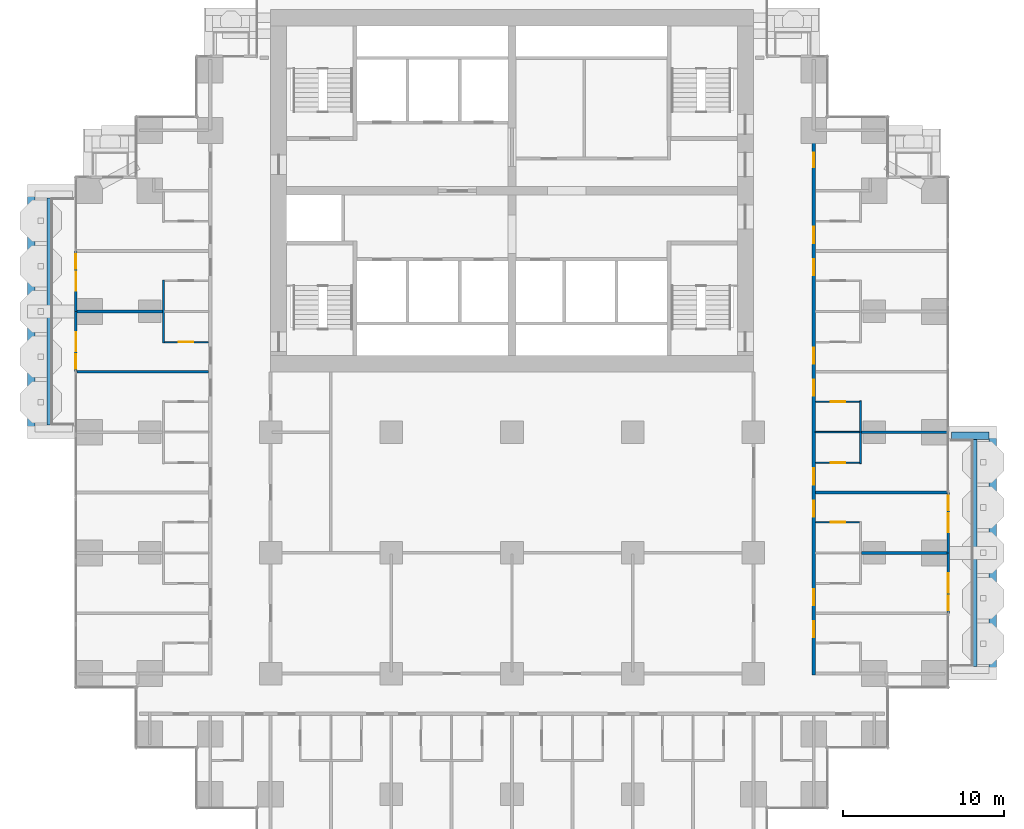
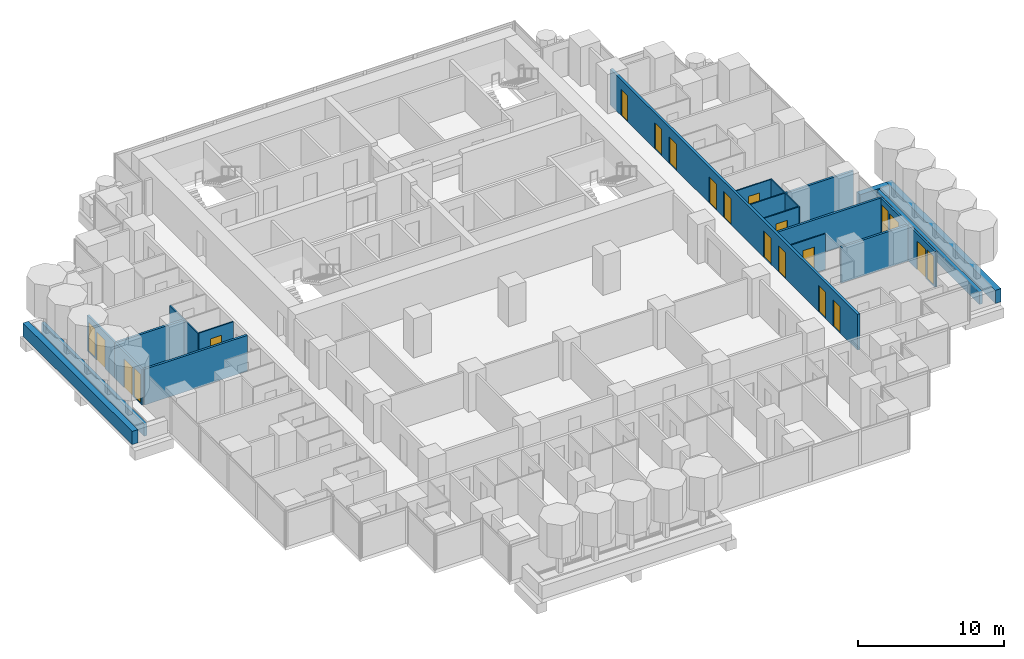
# One storey, part 12 of 18: 22 walls, 17 doors, 4 windows, 21 openings.
"""IFC4 building model written with IfcOpenShell, lengths in metres."""

import ifcopenshell
import ifcopenshell.guid

model = None  # the IFC model being written
_history = None  # IfcOwnerHistory: only IFC2X3 demands one
_inside = {}  # id of a spatial element -> (the spatial element, [elements in it])
_under = {}  # id of a project, library or spatial element -> (it, [spatial elements below it])
_declared = {}  # id of a project -> (the project, [libraries it declares])
_typed = {}  # id of a type object -> (the type object, [elements of that type])
_made_of = {}  # id of a material, layer set ... -> (it, [elements and type objects made of it])


def new_model(schema):
    """Start an empty IFC model of exactly this schema.

    Asked for "IFC4X3", IfcOpenShell would pick the latest addendum, in which some entities
    have other attributes; the version numbers below select the first issue.
    IFC2X3 requires an IfcOwnerHistory on every rooted entity: one is made here for all.
    """
    global model, _history
    if schema == "IFC4X3":
        model = ifcopenshell.file(schema_version=(4, 3, 0, 0))
    else:
        model = ifcopenshell.file(schema=schema)
    _inside.clear()
    _under.clear()
    _declared.clear()
    _typed.clear()
    _made_of.clear()
    _history = None
    if model.schema == "IFC2X3":
        org = make("IfcOrganization", Name="unknown")
        user = make(
            "IfcPersonAndOrganization",
            ThePerson=make("IfcPerson", FamilyName="unknown"),
            TheOrganization=org,
        )
        app = make(
            "IfcApplication",
            ApplicationDeveloper=org,
            Version="unknown",
            ApplicationFullName="unknown",
            ApplicationIdentifier="unknown",
        )
        _history = make(
            "IfcOwnerHistory",
            OwningUser=user,
            OwningApplication=app,
            ChangeAction="ADDED",
            CreationDate=0,
        )
    return model


def make(cls, **values):
    """One entity of the class cls with the attributes given. An attribute that is None is left unset."""
    return model.create_entity(
        cls, **{name: value for name, value in values.items() if value is not None}
    )


def rooted(cls, **values):
    """An entity with a GlobalId (a new one), such as an element, a storey or a relation."""
    return make(cls, GlobalId=ifcopenshell.guid.new(), OwnerHistory=_history, **values)


def si_unit(unit_type, name, prefix=None):
    """IfcSIUnit, for example si_unit("LENGTHUNIT", "METRE", prefix="MILLI")."""
    return make("IfcSIUnit", UnitType=unit_type, Prefix=prefix, Name=name)


def assignment(units):
    """IfcUnitAssignment: the units of a project."""
    return None if units is None else make("IfcUnitAssignment", Units=units)


def point(xyz):
    """IfcCartesianPoint."""
    return None if xyz is None else make("IfcCartesianPoint", Coordinates=xyz)


def direction(xyz):
    """IfcDirection."""
    return None if xyz is None else make("IfcDirection", DirectionRatios=xyz)


def frame(location, z_axis=None, x_axis=None):
    """IfcAxis2Placement3D, a coordinate frame: its origin and axes. An axis left out is left unset."""
    return make(
        "IfcAxis2Placement3D",
        Location=point(location),
        Axis=direction(z_axis),
        RefDirection=direction(x_axis),
    )


def frame_2d(location, x_axis=None):
    """IfcAxis2Placement2D, a coordinate frame in the plane: its origin and x axis."""
    return make(
        "IfcAxis2Placement2D", Location=point(location), RefDirection=direction(x_axis)
    )


def origin():
    """The frame at (0, 0, 0) with its axes left unset."""
    return frame((0.0, 0.0, 0.0))


def place(relative_to, where):
    """IfcLocalPlacement: puts the frame where relative to a parent placement (None: the world)."""
    return make(
        "IfcLocalPlacement", PlacementRelTo=relative_to, RelativePlacement=where
    )


def context(
    kind, dimensions, precision=None, world=None, true_north=None, identifier=None
):
    """IfcGeometricRepresentationContext, for example the 3D "Model" context."""
    return make(
        "IfcGeometricRepresentationContext",
        ContextIdentifier=identifier,
        ContextType=kind,
        CoordinateSpaceDimension=dimensions,
        Precision=precision,
        WorldCoordinateSystem=world,
        TrueNorth=true_north,
    )


def subcontext(parent, identifier, kind, view, scale=None):
    """IfcGeometricRepresentationSubContext, for example "Body" below "Model"."""
    return make(
        "IfcGeometricRepresentationSubContext",
        ContextIdentifier=identifier,
        ContextType=kind,
        ParentContext=parent,
        TargetScale=scale,
        TargetView=view,
    )


def project(units=None, contexts=None):
    """IfcProject with its units and contexts."""
    return rooted(
        "IfcProject",
        Name="project",
        RepresentationContexts=contexts,
        UnitsInContext=assignment(units),
    )


def spatial(cls, under=None, at=None, **own):
    """A site, building, storey or space (cls), placed at a placement, below another one or the project."""
    s = rooted(cls, ObjectPlacement=at, **own)
    if under is not None:
        _under.setdefault(under.id(), (under, []))[1].append(s)
    return s


def profile(cls, at=None, kind="AREA", **sizes):
    """A parametric profile (cls). Its sizes go by their IFC names, for example OverallWidth=200.0."""
    return make(cls, ProfileType=kind, Position=at, **sizes)


def rectangle(**sizes):
    """IfcRectangleProfileDef."""
    return profile("IfcRectangleProfileDef", **sizes)


def extrude(swept, where, along, depth):
    """IfcExtrudedAreaSolid: the profile swept, set in the frame where, extruded along a direction by depth."""
    return make(
        "IfcExtrudedAreaSolid",
        SweptArea=swept,
        Position=where,
        ExtrudedDirection=direction(along),
        Depth=depth,
    )


def shape(context_of_items, identifier, shape_type, items):
    """IfcShapeRepresentation: the items that make up one representation, for example the "Body"."""
    return make(
        "IfcShapeRepresentation",
        ContextOfItems=context_of_items,
        RepresentationIdentifier=identifier,
        RepresentationType=shape_type,
        Items=items,
    )


def material(Name=None, Category=None):
    """IfcMaterial."""
    return make("IfcMaterial", Name=Name, Category=Category)


def layer(
    of_material, thickness, ventilated=None, Name=None, Category=None, Priority=None
):
    """IfcMaterialLayer: one layer of a wall or slab, of a material (None: an air gap)."""
    return make(
        "IfcMaterialLayer",
        Material=of_material,
        LayerThickness=thickness,
        IsVentilated=ventilated,
        Name=Name,
        Category=Category,
        Priority=Priority,
    )


def layer_set(layers, Name=None):
    """IfcMaterialLayerSet."""
    return make("IfcMaterialLayerSet", MaterialLayers=layers, LayerSetName=Name)


def made_of(thing, what):
    """Note that an element or type object is made of a material, layer set ...; save() writes the relation."""
    if what is not None:
        _made_of.setdefault(what.id(), (what, []))[1].append(thing)
    return thing


def type_object(cls, material=None, **own):
    """A type object (cls), such as IfcWallType, which elements share."""
    return made_of(rooted(cls, **own), material)


def element(
    cls,
    number,
    at=None,
    inside=None,
    cuts=None,
    type_object=None,
    material=None,
    context=None,
    identifier="Body",
    shape_type=None,
    held_by="IfcProductDefinitionShape",
    body=None,
    shapes=None,
    **own,
):
    """One element of the class cls, such as IfcWall. Its Tag is "e" and its number.

    at: its placement. inside: the storey or other place that contains it. cuts: it is an
    opening in that element (IfcRelVoidsElement). A single representation is given by context,
    identifier, shape_type and body (its items); several are given by shapes. held_by: the class
    of the entity that holds the representations. save() writes the other relations.
    """
    e = rooted(cls, Tag="e%d" % number, ObjectPlacement=at, **own)
    if body is not None:
        shapes = [shape(context, identifier, shape_type, body)]
    if shapes is not None:
        e.Representation = make(held_by, Representations=shapes)
    if inside is not None:
        _inside.setdefault(inside.id(), (inside, []))[1].append(e)
    if cuts is not None:
        rooted(
            "IfcRelVoidsElement", RelatingBuildingElement=cuts, RelatedOpeningElement=e
        )
    if type_object is not None:
        _typed.setdefault(type_object.id(), (type_object, []))[1].append(e)
    return made_of(e, material)


def fill(opening, filler):
    """IfcRelFillsElement: the door or window that sits in an opening."""
    return rooted(
        "IfcRelFillsElement",
        RelatingOpeningElement=opening,
        RelatedBuildingElement=filler,
    )


def aggregate(whole, parts):
    """IfcRelAggregates: a whole, such as a stair, and the parts it consists of."""
    return rooted("IfcRelAggregates", RelatingObject=whole, RelatedObjects=parts)


def save(model, path):
    """Write the relations noted so far, then the file.

    IfcRelAggregates (storeys below a building ...), IfcRelContainedInSpatialStructure (elements
    in a storey), IfcRelDefinesByType, IfcRelAssociatesMaterial and IfcRelDeclares: one each for
    every whole, place, type object, material and project.
    """
    for whole, parts in _under.values():
        aggregate(whole, parts)
    for where, things in _inside.values():
        rooted(
            "IfcRelContainedInSpatialStructure",
            RelatedElements=things,
            RelatingStructure=where,
        )
    for kind, things in _typed.values():
        rooted("IfcRelDefinesByType", RelatedObjects=things, RelatingType=kind)
    for what, things in _made_of.values():
        rooted("IfcRelAssociatesMaterial", RelatedObjects=things, RelatingMaterial=what)
    for by, libraries in _declared.values():
        rooted("IfcRelDeclares", RelatingContext=by, RelatedDefinitions=libraries)
    model.write(path)


model = new_model("IFC4")

# Units and contexts
model_context = context("Model", 3, precision=1e-05, world=origin(), true_north=direction((0.0, 1.0)))
body_context = subcontext(model_context, "Body", "Model", "MODEL_VIEW")
ifc_project = project(units=[si_unit("LENGTHUNIT", "METRE"), si_unit("AREAUNIT", "SQUARE_METRE"), si_unit("VOLUMEUNIT", "CUBIC_METRE"), si_unit("PLANEANGLEUNIT", "RADIAN"), si_unit("MASSUNIT", "GRAM", prefix="KILO")], contexts=[model_context])

# Site, building, storey
site_placement = place(None, origin())
site = spatial("IfcSite", under=ifc_project, at=site_placement, CompositionType="ELEMENT")
building_placement = place(site_placement, origin())
building = spatial("IfcBuilding", under=site, at=building_placement, Name="Pilkhan Gate Tower", CompositionType="ELEMENT")
storey_placement = place(building_placement, frame((0.0, 0.0, 42.800048828125)))
storey = spatial("IfcBuildingStorey", under=building, at=storey_placement, Name="L07", CompositionType="ELEMENT", Elevation=42.800048828125)

# Walls
ifc_material_1 = material(Name="Dense blockwork", Category="masonry")
ifc_layer_1 = layer(ifc_material_1, 0.175048828125)
ifc_layer_set_1 = layer_set([ifc_layer_1], Name="Acoustic party wall PW175")
wall_type_1 = type_object("IfcWallType", Name="Acoustic party wall PW175", PredefinedType="PARTITIONING", material=ifc_layer_set_1)
wall_1_placement = place(storey_placement, frame((96.699951171875, 60.0, 0.0), z_axis=(0.0, 0.0, 1.0), x_axis=(1.0, 0.0, 0.0)))
element("IfcWall", 1, at=wall_1_placement, inside=storey, type_object=wall_type_1, Name="Partition L07", PredefinedType="PARTITIONING", context=body_context, shape_type="SweptSolid", body=[
    extrude(rectangle(XDim=5.31494140625, YDim=0.175048828125, at=frame_2d((2.657470703125, 0.0))), origin(), (0.0, 0.0, 1.0), 3.0),
])
wall_2_placement = place(storey_placement, frame((93.85009765625, 63.75, 0.0), z_axis=(0.0, 0.0, 1.0), x_axis=(1.0, 0.0, 0.0)))
element("IfcWall", 2, at=wall_2_placement, inside=storey, type_object=wall_type_1, Name="Partition L07", PredefinedType="PARTITIONING", context=body_context, shape_type="SweptSolid", body=[
    extrude(rectangle(XDim=8.164794921875, YDim=0.175048828125, at=frame_2d((4.08251953125, 0.0))), origin(), (0.0, 0.0, 1.0), 3.0),
])
wall_3_placement = place(storey_placement, frame((96.699951171875, 67.5, 0.0), z_axis=(0.0, 0.0, 1.0), x_axis=(1.0, 0.0, 0.0)))
element("IfcWall", 3, at=wall_3_placement, inside=storey, type_object=wall_type_1, Name="Partition L07", PredefinedType="PARTITIONING", context=body_context, shape_type="SweptSolid", body=[
    extrude(rectangle(XDim=5.31494140625, YDim=0.175048828125, at=frame_2d((2.657470703125, 0.0))), origin(), (0.0, 0.0, 1.0), 3.0),
])
wall_4_placement = place(storey_placement, frame((47.985107421875, 71.25, 0.0), z_axis=(0.0, 0.0, 1.0), x_axis=(1.0, 0.0, 0.0)))
element("IfcWall", 4, at=wall_4_placement, inside=storey, type_object=wall_type_1, Name="Partition L07", PredefinedType="PARTITIONING", context=body_context, shape_type="SweptSolid", body=[
    extrude(rectangle(XDim=8.164794921875, YDim=0.175048828125, at=frame_2d((4.08251953125, 0.0))), origin(), (0.0, 0.0, 1.0), 3.0),
])
wall_5_placement = place(storey_placement, frame((47.985107421875, 75.0, 0.0), z_axis=(0.0, 0.0, 1.0), x_axis=(1.0, 0.0, 0.0)))
element("IfcWall", 5, at=wall_5_placement, inside=storey, type_object=wall_type_1, Name="Partition L07", PredefinedType="PARTITIONING", context=body_context, shape_type="SweptSolid", body=[
    extrude(rectangle(XDim=5.31494140625, YDim=0.175048828125, at=frame_2d((2.657470703125, 0.0))), origin(), (0.0, 0.0, 1.0), 3.0),
])
ifc_material_2 = material(Name="Concrete C40/50", Category="concrete")
ifc_layer_2 = layer(ifc_material_2, 0.25)
ifc_layer_set_2 = layer_set([ifc_layer_2], Name="Balcony planter BP250")
wall_type_2 = type_object("IfcWallType", Name="Balcony planter BP250", PredefinedType="USERDEFINED", material=ifc_layer_set_2)
for number, where, z_axis, x_axis, name in (
    (6, (103.77490234375, 52.949951171875, 0.0), (0.0, 0.0, 1.0), (0.0, 1.0, 0.0), "Balcony planter L07 E"),
    (7, (46.22509765625, 67.949951171875, 0.0), (0.0, 0.0, 1.0), (0.0, 1.0, 0.0), "Balcony planter L07 W"),
):
    element("IfcWall", number, at=place(storey_placement, frame(where, z_axis=z_axis, x_axis=x_axis)), inside=storey, type_object=wall_type_2, Name=name, ObjectType="BALCONY PLANTER", PredefinedType="USERDEFINED", context=body_context, shape_type="SweptSolid", body=[
        extrude(rectangle(XDim=14.10009765625, YDim=0.25, at=frame_2d((7.050048828125, 0.0))), origin(), (0.0, 0.0, 1.0), 1.0),
    ])
ifc_material_3 = material(Name="Board-marked Concrete C40/50", Category="concrete")
ifc_layer_3 = layer(ifc_material_3, 0.449951171875)
ifc_layer_set_3 = layer_set([ifc_layer_3], Name="Balcony planter lip BL450")
wall_type_3 = type_object("IfcWallType", Name="Balcony planter lip BL450", PredefinedType="USERDEFINED", material=ifc_layer_set_3)
wall_6_placement = place(storey_placement, frame((104.875, 52.5, 0.0), z_axis=(0.0, 0.0, 1.0), x_axis=(0.0, 1.0, 0.0)))
element("IfcWall", 8, at=wall_6_placement, inside=storey, type_object=wall_type_3, Name="Balcony planter L07 E", ObjectType="BALCONY PLANTER", PredefinedType="USERDEFINED", context=body_context, shape_type="SweptSolid", body=[
    extrude(rectangle(XDim=15.0, YDim=0.449951171875, at=frame_2d((7.5, 0.0))), origin(), (0.0, 0.0, 1.0), 1.099853515625),
])
wall_7_placement = place(storey_placement, frame((102.320068359375, 67.27490234375, 0.0), z_axis=(0.0, 0.0, 1.0), x_axis=(1.0, 0.0, 0.0)))
element("IfcWall", 9, at=wall_7_placement, inside=storey, type_object=wall_type_3, Name="Balcony planter L07 E", ObjectType="BALCONY PLANTER", PredefinedType="USERDEFINED", context=body_context, shape_type="SweptSolid", body=[
    extrude(rectangle(XDim=2.329833984375, YDim=0.449951171875, at=frame_2d((1.1650390625, 0.0))), origin(), (0.0, 0.0, 1.0), 1.099853515625),
])
wall_8_placement = place(storey_placement, frame((45.125, 67.5, 0.0), z_axis=(0.0, 0.0, 1.0), x_axis=(0.0, 1.0, 0.0)))
element("IfcWall", 10, at=wall_8_placement, inside=storey, type_object=wall_type_3, Name="Balcony planter L07 W", ObjectType="BALCONY PLANTER", PredefinedType="USERDEFINED", context=body_context, shape_type="SweptSolid", body=[
    extrude(rectangle(XDim=15.0, YDim=0.449951171875, at=frame_2d((7.5, 0.0))), origin(), (0.0, 0.0, 1.0), 1.099853515625),
])

# Wall, openings, doors
ifc_layer_4 = layer(ifc_material_1, 0.199951171875)
ifc_layer_set_4 = layer_set([ifc_layer_4], Name="Corridor wall FW200")
wall_type_4 = type_object("IfcWallType", Name="Corridor wall FW200", PredefinedType="PARTITIONING", material=ifc_layer_set_4)
wall_9_placement = place(storey_placement, frame((93.75, 52.39990234375, 0.0), z_axis=(0.0, 0.0, 1.0), x_axis=(0.0, 1.0, 0.0)))
wall_9 = element("IfcWall", 11, at=wall_9_placement, inside=storey, type_object=wall_type_4, Name="Partition L07", PredefinedType="PARTITIONING", context=body_context, shape_type="SweptSolid", body=[
    extrude(rectangle(XDim=33.925048828125, YDim=0.199951171875, at=frame_2d((16.96240234375, 0.0))), origin(), (0.0, 0.0, 1.0), 3.0),
])
opening_1_placement = place(wall_9_placement, frame((2.35009765625, 0.0, 0.0)))
opening_1 = element("IfcOpeningElement", 12, at=opening_1_placement, cuts=wall_9, Name="Opening L07-42", PredefinedType="OPENING", context=body_context, shape_type="SweptSolid", body=[
    extrude(rectangle(XDim=1.0, YDim=2.199951171875, at=frame_2d((0.5, 1.10009765625))), frame((0.0, 0.10986328125, 0.0), z_axis=(0.0, -1.0, 0.0), x_axis=(1.0, 0.0, 0.0)), (0.0, 0.0, 1.0), 0.219970703125),
])
opening_2_placement = place(wall_9_placement, frame((4.35009765625, 0.0, 0.0)))
opening_2 = element("IfcOpeningElement", 13, at=opening_2_placement, cuts=wall_9, Name="Opening L07-44", PredefinedType="OPENING", context=body_context, shape_type="SweptSolid", body=[
    extrude(rectangle(XDim=1.0, YDim=2.199951171875, at=frame_2d((0.5, 1.10009765625))), frame((0.0, 0.10986328125, 0.0), z_axis=(0.0, -1.0, 0.0), x_axis=(1.0, 0.0, 0.0)), (0.0, 0.0, 1.0), 0.219970703125),
])
opening_3_placement = place(wall_9_placement, frame((9.85009765625, 0.0, 0.0)))
opening_3 = element("IfcOpeningElement", 14, at=opening_3_placement, cuts=wall_9, Name="Opening L07-46", PredefinedType="OPENING", context=body_context, shape_type="SweptSolid", body=[
    extrude(rectangle(XDim=1.0, YDim=2.199951171875, at=frame_2d((0.5, 1.10009765625))), frame((0.0, 0.10986328125, 0.0), z_axis=(0.0, -1.0, 0.0), x_axis=(1.0, 0.0, 0.0)), (0.0, 0.0, 1.0), 0.219970703125),
])
opening_4_placement = place(wall_9_placement, frame((11.85009765625, 0.0, 0.0)))
opening_4 = element("IfcOpeningElement", 15, at=opening_4_placement, cuts=wall_9, Name="Opening L07-48", PredefinedType="OPENING", context=body_context, shape_type="SweptSolid", body=[
    extrude(rectangle(XDim=1.0, YDim=2.199951171875, at=frame_2d((0.5, 1.10009765625))), frame((0.0, 0.10986328125, 0.0), z_axis=(0.0, -1.0, 0.0), x_axis=(1.0, 0.0, 0.0)), (0.0, 0.0, 1.0), 0.219970703125),
])
opening_5_placement = place(wall_9_placement, frame((17.35009765625, 0.0, 0.0)))
opening_5 = element("IfcOpeningElement", 16, at=opening_5_placement, cuts=wall_9, Name="Opening L07-50", PredefinedType="OPENING", context=body_context, shape_type="SweptSolid", body=[
    extrude(rectangle(XDim=1.0, YDim=2.199951171875, at=frame_2d((0.5, 1.10009765625))), frame((0.0, 0.10986328125, 0.0), z_axis=(0.0, -1.0, 0.0), x_axis=(1.0, 0.0, 0.0)), (0.0, 0.0, 1.0), 0.219970703125),
])
opening_6_placement = place(wall_9_placement, frame((19.35009765625, 0.0, 0.0)))
opening_6 = element("IfcOpeningElement", 17, at=opening_6_placement, cuts=wall_9, Name="Opening L07-52", PredefinedType="OPENING", context=body_context, shape_type="SweptSolid", body=[
    extrude(rectangle(XDim=1.0, YDim=2.199951171875, at=frame_2d((0.5, 1.10009765625))), frame((0.0, 0.10986328125, 0.0), z_axis=(0.0, -1.0, 0.0), x_axis=(1.0, 0.0, 0.0)), (0.0, 0.0, 1.0), 0.219970703125),
])
opening_7_placement = place(wall_9_placement, frame((24.85009765625, 0.0, 0.0)))
opening_7 = element("IfcOpeningElement", 18, at=opening_7_placement, cuts=wall_9, Name="Opening L07-54", PredefinedType="OPENING", context=body_context, shape_type="SweptSolid", body=[
    extrude(rectangle(XDim=1.0, YDim=2.199951171875, at=frame_2d((0.5, 1.10009765625))), frame((0.0, 0.10986328125, 0.0), z_axis=(0.0, -1.0, 0.0), x_axis=(1.0, 0.0, 0.0)), (0.0, 0.0, 1.0), 0.219970703125),
])
opening_8_placement = place(wall_9_placement, frame((26.85009765625, 0.0, 0.0)))
opening_8 = element("IfcOpeningElement", 19, at=opening_8_placement, cuts=wall_9, Name="Opening L07-56", PredefinedType="OPENING", context=body_context, shape_type="SweptSolid", body=[
    extrude(rectangle(XDim=1.0, YDim=2.199951171875, at=frame_2d((0.5, 1.10009765625))), frame((0.0, 0.10986328125, 0.0), z_axis=(0.0, -1.0, 0.0), x_axis=(1.0, 0.0, 0.0)), (0.0, 0.0, 1.0), 0.219970703125),
])
opening_9_placement = place(wall_9_placement, frame((31.550048828125, 0.0, 0.0)))
opening_9 = element("IfcOpeningElement", 20, at=opening_9_placement, cuts=wall_9, Name="Opening L07-66", PredefinedType="OPENING", context=body_context, shape_type="SweptSolid", body=[
    extrude(rectangle(XDim=0.89990234375, YDim=2.199951171875, at=frame_2d((0.449951171875, 1.10009765625))), frame((0.0, 0.10986328125, 0.0), z_axis=(0.0, -1.0, 0.0), x_axis=(1.0, 0.0, 0.0)), (0.0, 0.0, 1.0), 0.219970703125),
])
ifc_material_4 = material(Name="Timber flush door, 30 minute fire resisting", Category="wood")
door_type_1 = type_object("IfcDoorType", Name="Guest room door D01 1000x2200", OperationType="SINGLE_SWING_LEFT", PredefinedType="DOOR", material=ifc_material_4)
door_1_placement = place(opening_1_placement, origin())
door_1 = element("IfcDoor", 21, at=door_1_placement, inside=storey, type_object=door_type_1, Name="Guest room door", OperationType="SINGLE_SWING_RIGHT", OverallHeight=2.199951171875, OverallWidth=1.0, PredefinedType="DOOR", context=body_context, shape_type="SweptSolid", body=[
    extrude(rectangle(XDim=1.0, YDim=2.199951171875, at=frame_2d((0.5, 1.10009765625))), frame((0.0, 0.02490234375, 0.0), z_axis=(0.0, -1.0, 0.0), x_axis=(1.0, 0.0, 0.0)), (0.0, 0.0, 1.0), 0.050048828125),
])
fill(opening_1, door_1)
door_2_placement = place(opening_2_placement, origin())
door_2 = element("IfcDoor", 22, at=door_2_placement, inside=storey, type_object=door_type_1, Name="Guest room door", OperationType="SINGLE_SWING_LEFT", OverallHeight=2.199951171875, OverallWidth=1.0, PredefinedType="DOOR", context=body_context, shape_type="SweptSolid", body=[
    extrude(rectangle(XDim=1.0, YDim=2.199951171875, at=frame_2d((0.5, 1.10009765625))), frame((0.0, 0.02490234375, 0.0), z_axis=(0.0, -1.0, 0.0), x_axis=(1.0, 0.0, 0.0)), (0.0, 0.0, 1.0), 0.050048828125),
])
fill(opening_2, door_2)
door_3_placement = place(opening_3_placement, origin())
door_3 = element("IfcDoor", 23, at=door_3_placement, inside=storey, type_object=door_type_1, Name="Guest room door", OperationType="SINGLE_SWING_LEFT", OverallHeight=2.199951171875, OverallWidth=1.0, PredefinedType="DOOR", context=body_context, shape_type="SweptSolid", body=[
    extrude(rectangle(XDim=1.0, YDim=2.199951171875, at=frame_2d((0.5, 1.10009765625))), frame((0.0, 0.02490234375, 0.0), z_axis=(0.0, -1.0, 0.0), x_axis=(1.0, 0.0, 0.0)), (0.0, 0.0, 1.0), 0.050048828125),
])
fill(opening_3, door_3)
door_4_placement = place(opening_4_placement, origin())
door_4 = element("IfcDoor", 24, at=door_4_placement, inside=storey, type_object=door_type_1, Name="Guest room door", OperationType="SINGLE_SWING_LEFT", OverallHeight=2.199951171875, OverallWidth=1.0, PredefinedType="DOOR", context=body_context, shape_type="SweptSolid", body=[
    extrude(rectangle(XDim=1.0, YDim=2.199951171875, at=frame_2d((0.5, 1.10009765625))), frame((0.0, 0.02490234375, 0.0), z_axis=(0.0, -1.0, 0.0), x_axis=(1.0, 0.0, 0.0)), (0.0, 0.0, 1.0), 0.050048828125),
])
fill(opening_4, door_4)
door_5_placement = place(opening_5_placement, origin())
door_5 = element("IfcDoor", 25, at=door_5_placement, inside=storey, type_object=door_type_1, Name="Guest room door", OperationType="SINGLE_SWING_LEFT", OverallHeight=2.199951171875, OverallWidth=1.0, PredefinedType="DOOR", context=body_context, shape_type="SweptSolid", body=[
    extrude(rectangle(XDim=1.0, YDim=2.199951171875, at=frame_2d((0.5, 1.10009765625))), frame((0.0, 0.02490234375, 0.0), z_axis=(0.0, -1.0, 0.0), x_axis=(1.0, 0.0, 0.0)), (0.0, 0.0, 1.0), 0.050048828125),
])
fill(opening_5, door_5)
door_6_placement = place(opening_6_placement, origin())
door_6 = element("IfcDoor", 26, at=door_6_placement, inside=storey, type_object=door_type_1, Name="Guest room door", OperationType="SINGLE_SWING_RIGHT", OverallHeight=2.199951171875, OverallWidth=1.0, PredefinedType="DOOR", context=body_context, shape_type="SweptSolid", body=[
    extrude(rectangle(XDim=1.0, YDim=2.199951171875, at=frame_2d((0.5, 1.10009765625))), frame((0.0, 0.02490234375, 0.0), z_axis=(0.0, -1.0, 0.0), x_axis=(1.0, 0.0, 0.0)), (0.0, 0.0, 1.0), 0.050048828125),
])
fill(opening_6, door_6)
door_7_placement = place(opening_7_placement, origin())
door_7 = element("IfcDoor", 27, at=door_7_placement, inside=storey, type_object=door_type_1, Name="Guest room door", OperationType="SINGLE_SWING_RIGHT", OverallHeight=2.199951171875, OverallWidth=1.0, PredefinedType="DOOR", context=body_context, shape_type="SweptSolid", body=[
    extrude(rectangle(XDim=1.0, YDim=2.199951171875, at=frame_2d((0.5, 1.10009765625))), frame((0.0, 0.02490234375, 0.0), z_axis=(0.0, -1.0, 0.0), x_axis=(1.0, 0.0, 0.0)), (0.0, 0.0, 1.0), 0.050048828125),
])
fill(opening_7, door_7)
door_8_placement = place(opening_8_placement, origin())
door_8 = element("IfcDoor", 28, at=door_8_placement, inside=storey, type_object=door_type_1, Name="Guest room door", OperationType="SINGLE_SWING_LEFT", OverallHeight=2.199951171875, OverallWidth=1.0, PredefinedType="DOOR", context=body_context, shape_type="SweptSolid", body=[
    extrude(rectangle(XDim=1.0, YDim=2.199951171875, at=frame_2d((0.5, 1.10009765625))), frame((0.0, 0.02490234375, 0.0), z_axis=(0.0, -1.0, 0.0), x_axis=(1.0, 0.0, 0.0)), (0.0, 0.0, 1.0), 0.050048828125),
])
fill(opening_8, door_8)
ifc_material_5 = material(Name="Timber flush door, 60 minute fire resisting, self-closing", Category="wood")
door_type_2 = type_object("IfcDoorType", Name="Store door D05 900x2200", OperationType="SINGLE_SWING_LEFT", PredefinedType="DOOR", material=ifc_material_5)
door_9_placement = place(opening_9_placement, origin())
door_9 = element("IfcDoor", 29, at=door_9_placement, inside=storey, type_object=door_type_2, Name="Store door", OperationType="SINGLE_SWING_LEFT", OverallHeight=2.199951171875, OverallWidth=0.89990234375, PredefinedType="DOOR", context=body_context, shape_type="SweptSolid", body=[
    extrude(rectangle(XDim=0.89990234375, YDim=2.199951171875, at=frame_2d((0.449951171875, 1.10009765625))), frame((0.0, 0.02490234375, 0.0), z_axis=(0.0, -1.0, 0.0), x_axis=(1.0, 0.0, 0.0)), (0.0, 0.0, 1.0), 0.050048828125),
])
fill(opening_9, door_9)

# Wall, openings, door, window
ifc_material_6 = material(Name="Pale anodised aluminium, clear laminated glazing", Category="aluminium")
ifc_layer_5 = layer(ifc_material_6, 0.14990234375)
ifc_layer_set_5 = layer_set([ifc_layer_5], Name="Facade infill wall IW150")
wall_type_5 = type_object("IfcWallType", Name="Facade infill wall IW150", PredefinedType="SOLIDWALL", material=ifc_layer_set_5)
wall_10_placement = place(storey_placement, frame((102.094970703125, 56.25, 0.0), z_axis=(0.0, 0.0, 1.0), x_axis=(0.0, 1.0, 0.0)))
wall_10 = element("IfcWall", 30, at=wall_10_placement, inside=storey, type_object=wall_type_5, Name="Infill wall L07 E", PredefinedType="SOLIDWALL", context=body_context, shape_type="SweptSolid", body=[
    extrude(rectangle(XDim=3.75, YDim=0.14990234375, at=frame_2d((1.875, 0.0))), origin(), (0.0, 0.0, 1.0), 3.0),
])
opening_10_placement = place(wall_10_placement, frame((0.1875, 0.0, 0.10009765625)))
opening_10 = element("IfcOpeningElement", 31, at=opening_10_placement, cuts=wall_10, Name="Opening W1", PredefinedType="OPENING", context=body_context, shape_type="SweptSolid", body=[
    extrude(rectangle(XDim=0.89990234375, YDim=2.39990234375, at=frame_2d((0.449951171875, 1.199951171875))), frame((0.0, 0.0849609375, 0.0), z_axis=(0.0, -1.0, 0.0), x_axis=(1.0, 0.0, 0.0)), (0.0, 0.0, 1.0), 0.169921875),
])
opening_11_placement = place(wall_10_placement, frame((1.27490234375, 0.0, 0.0)))
opening_11 = element("IfcOpeningElement", 32, at=opening_11_placement, cuts=wall_10, Name="Opening D1", PredefinedType="OPENING", context=body_context, shape_type="SweptSolid", body=[
    extrude(rectangle(XDim=1.199951171875, YDim=2.39990234375, at=frame_2d((0.60009765625, 1.199951171875))), frame((0.0, 0.0849609375, 0.0), z_axis=(0.0, -1.0, 0.0), x_axis=(1.0, 0.0, 0.0)), (0.0, 0.0, 1.0), 0.169921875),
])
ifc_material_7 = material(Name="Pale anodised aluminium, clear glazing", Category="aluminium")
door_type_3 = type_object("IfcDoorType", Name="Balcony door D1 1200x2400", OperationType="SINGLE_SWING_LEFT", PredefinedType="DOOR", material=ifc_material_7)
door_10_placement = place(opening_11_placement, origin())
door_10 = element("IfcDoor", 33, at=door_10_placement, inside=storey, type_object=door_type_3, Name="Balcony door L07", OperationType="SINGLE_SWING_LEFT", OverallHeight=2.39990234375, OverallWidth=1.199951171875, PredefinedType="DOOR", context=body_context, shape_type="SweptSolid", body=[
    extrude(rectangle(XDim=1.199951171875, YDim=2.39990234375, at=frame_2d((0.60009765625, 1.199951171875))), frame((0.0, 0.02490234375, 0.0), z_axis=(0.0, -1.0, 0.0), x_axis=(1.0, 0.0, 0.0)), (0.0, 0.0, 1.0), 0.050048828125),
])
fill(opening_11, door_10)
ifc_material_8 = material(Name="Pale anodised aluminium, clear double glazing", Category="aluminium")
window_type = type_object("IfcWindowType", Name="Window W1 900x2400", PartitioningType="SINGLE_PANEL", PredefinedType="WINDOW", material=ifc_material_8)
window_1_placement = place(opening_10_placement, origin())
window_1 = element("IfcWindow", 34, at=window_1_placement, inside=storey, type_object=window_type, Name="Window L07", OverallHeight=2.39990234375, OverallWidth=0.89990234375, PartitioningType="SINGLE_PANEL", PredefinedType="WINDOW", context=body_context, shape_type="SweptSolid", body=[
    extrude(rectangle(XDim=0.89990234375, YDim=2.39990234375, at=frame_2d((0.449951171875, 1.199951171875))), frame((0.0, 0.030029296875, 0.0), z_axis=(0.0, -1.0, 0.0), x_axis=(1.0, 0.0, 0.0)), (0.0, 0.0, 1.0), 0.06005859375),
])
fill(opening_10, window_1)

wall_11_placement = place(storey_placement, frame((102.094970703125, 60.0, 0.0), z_axis=(0.0, 0.0, 1.0), x_axis=(0.0, 1.0, 0.0)))
wall_11 = element("IfcWall", 35, at=wall_11_placement, inside=storey, type_object=wall_type_5, Name="Infill wall L07 E", PredefinedType="SOLIDWALL", context=body_context, shape_type="SweptSolid", body=[
    extrude(rectangle(XDim=3.75, YDim=0.14990234375, at=frame_2d((1.875, 0.0))), origin(), (0.0, 0.0, 1.0), 3.0),
])
opening_12_placement = place(wall_11_placement, frame((1.27490234375, 0.0, 0.0)))
opening_12 = element("IfcOpeningElement", 36, at=opening_12_placement, cuts=wall_11, Name="Opening D1", PredefinedType="OPENING", context=body_context, shape_type="SweptSolid", body=[
    extrude(rectangle(XDim=1.199951171875, YDim=2.39990234375, at=frame_2d((0.60009765625, 1.199951171875))), frame((0.0, 0.0849609375, 0.0), z_axis=(0.0, -1.0, 0.0), x_axis=(1.0, 0.0, 0.0)), (0.0, 0.0, 1.0), 0.169921875),
])
opening_13_placement = place(wall_11_placement, frame((2.66259765625, 0.0, 0.10009765625)))
opening_13 = element("IfcOpeningElement", 37, at=opening_13_placement, cuts=wall_11, Name="Opening W1", PredefinedType="OPENING", context=body_context, shape_type="SweptSolid", body=[
    extrude(rectangle(XDim=0.89990234375, YDim=2.39990234375, at=frame_2d((0.449951171875, 1.199951171875))), frame((0.0, 0.0849609375, 0.0), z_axis=(0.0, -1.0, 0.0), x_axis=(1.0, 0.0, 0.0)), (0.0, 0.0, 1.0), 0.169921875),
])
door_11_placement = place(opening_12_placement, origin())
door_11 = element("IfcDoor", 38, at=door_11_placement, inside=storey, type_object=door_type_3, Name="Balcony door L07", OperationType="SINGLE_SWING_LEFT", OverallHeight=2.39990234375, OverallWidth=1.199951171875, PredefinedType="DOOR", context=body_context, shape_type="SweptSolid", body=[
    extrude(rectangle(XDim=1.199951171875, YDim=2.39990234375, at=frame_2d((0.60009765625, 1.199951171875))), frame((0.0, 0.02490234375, 0.0), z_axis=(0.0, -1.0, 0.0), x_axis=(1.0, 0.0, 0.0)), (0.0, 0.0, 1.0), 0.050048828125),
])
fill(opening_12, door_11)
window_2_placement = place(opening_13_placement, origin())
window_2 = element("IfcWindow", 39, at=window_2_placement, inside=storey, type_object=window_type, Name="Window L07", OverallHeight=2.39990234375, OverallWidth=0.89990234375, PartitioningType="SINGLE_PANEL", PredefinedType="WINDOW", context=body_context, shape_type="SweptSolid", body=[
    extrude(rectangle(XDim=0.89990234375, YDim=2.39990234375, at=frame_2d((0.449951171875, 1.199951171875))), frame((0.0, 0.030029296875, 0.0), z_axis=(0.0, -1.0, 0.0), x_axis=(1.0, 0.0, 0.0)), (0.0, 0.0, 1.0), 0.06005859375),
])
fill(opening_13, window_2)

wall_12_placement = place(storey_placement, frame((47.905029296875, 71.25, 0.0), z_axis=(0.0, 0.0, 1.0), x_axis=(0.0, 1.0, 0.0)))
wall_12 = element("IfcWall", 40, at=wall_12_placement, inside=storey, type_object=wall_type_5, Name="Infill wall L07 W", PredefinedType="SOLIDWALL", context=body_context, shape_type="SweptSolid", body=[
    extrude(rectangle(XDim=3.75, YDim=0.14990234375, at=frame_2d((1.875, 0.0))), origin(), (0.0, 0.0, 1.0), 3.0),
])
opening_14_placement = place(wall_12_placement, frame((0.1875, 0.0, 0.10009765625)))
opening_14 = element("IfcOpeningElement", 41, at=opening_14_placement, cuts=wall_12, Name="Opening W1", PredefinedType="OPENING", context=body_context, shape_type="SweptSolid", body=[
    extrude(rectangle(XDim=0.89990234375, YDim=2.39990234375, at=frame_2d((0.449951171875, 1.199951171875))), frame((0.0, 0.0849609375, 0.0), z_axis=(0.0, -1.0, 0.0), x_axis=(1.0, 0.0, 0.0)), (0.0, 0.0, 1.0), 0.169921875),
])
opening_15_placement = place(wall_12_placement, frame((1.27490234375, 0.0, 0.0)))
opening_15 = element("IfcOpeningElement", 42, at=opening_15_placement, cuts=wall_12, Name="Opening D1", PredefinedType="OPENING", context=body_context, shape_type="SweptSolid", body=[
    extrude(rectangle(XDim=1.199951171875, YDim=2.39990234375, at=frame_2d((0.60009765625, 1.199951171875))), frame((0.0, 0.0849609375, 0.0), z_axis=(0.0, -1.0, 0.0), x_axis=(1.0, 0.0, 0.0)), (0.0, 0.0, 1.0), 0.169921875),
])
door_12_placement = place(opening_15_placement, origin())
door_12 = element("IfcDoor", 43, at=door_12_placement, inside=storey, type_object=door_type_3, Name="Balcony door L07", OperationType="SINGLE_SWING_LEFT", OverallHeight=2.39990234375, OverallWidth=1.199951171875, PredefinedType="DOOR", context=body_context, shape_type="SweptSolid", body=[
    extrude(rectangle(XDim=1.199951171875, YDim=2.39990234375, at=frame_2d((0.60009765625, 1.199951171875))), frame((0.0, 0.02490234375, 0.0), z_axis=(0.0, -1.0, 0.0), x_axis=(1.0, 0.0, 0.0)), (0.0, 0.0, 1.0), 0.050048828125),
])
fill(opening_15, door_12)
window_3_placement = place(opening_14_placement, origin())
window_3 = element("IfcWindow", 44, at=window_3_placement, inside=storey, type_object=window_type, Name="Window L07", OverallHeight=2.39990234375, OverallWidth=0.89990234375, PartitioningType="SINGLE_PANEL", PredefinedType="WINDOW", context=body_context, shape_type="SweptSolid", body=[
    extrude(rectangle(XDim=0.89990234375, YDim=2.39990234375, at=frame_2d((0.449951171875, 1.199951171875))), frame((0.0, 0.030029296875, 0.0), z_axis=(0.0, -1.0, 0.0), x_axis=(1.0, 0.0, 0.0)), (0.0, 0.0, 1.0), 0.06005859375),
])
fill(opening_14, window_3)

wall_13_placement = place(storey_placement, frame((47.905029296875, 75.0, 0.0), z_axis=(0.0, 0.0, 1.0), x_axis=(0.0, 1.0, 0.0)))
wall_13 = element("IfcWall", 45, at=wall_13_placement, inside=storey, type_object=wall_type_5, Name="Infill wall L07 W", PredefinedType="SOLIDWALL", context=body_context, shape_type="SweptSolid", body=[
    extrude(rectangle(XDim=3.75, YDim=0.14990234375, at=frame_2d((1.875, 0.0))), origin(), (0.0, 0.0, 1.0), 3.0),
])
opening_16_placement = place(wall_13_placement, frame((1.27490234375, 0.0, 0.0)))
opening_16 = element("IfcOpeningElement", 46, at=opening_16_placement, cuts=wall_13, Name="Opening D1", PredefinedType="OPENING", context=body_context, shape_type="SweptSolid", body=[
    extrude(rectangle(XDim=1.199951171875, YDim=2.39990234375, at=frame_2d((0.60009765625, 1.199951171875))), frame((0.0, 0.0849609375, 0.0), z_axis=(0.0, -1.0, 0.0), x_axis=(1.0, 0.0, 0.0)), (0.0, 0.0, 1.0), 0.169921875),
])
opening_17_placement = place(wall_13_placement, frame((2.66259765625, 0.0, 0.10009765625)))
opening_17 = element("IfcOpeningElement", 47, at=opening_17_placement, cuts=wall_13, Name="Opening W1", PredefinedType="OPENING", context=body_context, shape_type="SweptSolid", body=[
    extrude(rectangle(XDim=0.89990234375, YDim=2.39990234375, at=frame_2d((0.449951171875, 1.199951171875))), frame((0.0, 0.0849609375, 0.0), z_axis=(0.0, -1.0, 0.0), x_axis=(1.0, 0.0, 0.0)), (0.0, 0.0, 1.0), 0.169921875),
])
door_13_placement = place(opening_16_placement, origin())
door_13 = element("IfcDoor", 48, at=door_13_placement, inside=storey, type_object=door_type_3, Name="Balcony door L07", OperationType="SINGLE_SWING_LEFT", OverallHeight=2.39990234375, OverallWidth=1.199951171875, PredefinedType="DOOR", context=body_context, shape_type="SweptSolid", body=[
    extrude(rectangle(XDim=1.199951171875, YDim=2.39990234375, at=frame_2d((0.60009765625, 1.199951171875))), frame((0.0, 0.02490234375, 0.0), z_axis=(0.0, -1.0, 0.0), x_axis=(1.0, 0.0, 0.0)), (0.0, 0.0, 1.0), 0.050048828125),
])
fill(opening_16, door_13)
window_4_placement = place(opening_17_placement, origin())
window_4 = element("IfcWindow", 49, at=window_4_placement, inside=storey, type_object=window_type, Name="Window L07", OverallHeight=2.39990234375, OverallWidth=0.89990234375, PartitioningType="SINGLE_PANEL", PredefinedType="WINDOW", context=body_context, shape_type="SweptSolid", body=[
    extrude(rectangle(XDim=0.89990234375, YDim=2.39990234375, at=frame_2d((0.449951171875, 1.199951171875))), frame((0.0, 0.030029296875, 0.0), z_axis=(0.0, -1.0, 0.0), x_axis=(1.0, 0.0, 0.0)), (0.0, 0.0, 1.0), 0.06005859375),
])
fill(opening_17, window_4)

# Wall, opening, door
ifc_material_9 = material(Name="Moisture resistant board, tiled")
ifc_layer_6 = layer(ifc_material_9, 0.10009765625)
ifc_layer_set_6 = layer_set([ifc_layer_6], Name="Wet wall PW100")
wall_type_6 = type_object("IfcWallType", Name="Wet wall PW100", PredefinedType="PARTITIONING", material=ifc_layer_set_6)
wall_14_placement = place(storey_placement, frame((93.85009765625, 61.89990234375, 0.0), z_axis=(0.0, 0.0, 1.0), x_axis=(1.0, 0.0, 0.0)))
wall_14 = element("IfcWall", 50, at=wall_14_placement, inside=storey, type_object=wall_type_6, Name="Partition L07", PredefinedType="PARTITIONING", context=body_context, shape_type="SweptSolid", body=[
    extrude(rectangle(XDim=2.75, YDim=0.10009765625, at=frame_2d((1.375, 0.0))), origin(), (0.0, 0.0, 1.0), 3.0),
])
opening_18_placement = place(wall_14_placement, frame((0.949951171875, 0.0, 0.0)))
opening_18 = element("IfcOpeningElement", 51, at=opening_18_placement, cuts=wall_14, Name="Opening L07-47", PredefinedType="OPENING", context=body_context, shape_type="SweptSolid", body=[
    extrude(rectangle(XDim=0.89990234375, YDim=2.199951171875, at=frame_2d((0.449951171875, 1.10009765625))), frame((0.0, 0.06005859375, 0.0), z_axis=(0.0, -1.0, 0.0), x_axis=(1.0, 0.0, 0.0)), (0.0, 0.0, 1.0), 0.1201171875),
])
ifc_material_10 = material(Name="Timber flush door", Category="wood")
door_type_4 = type_object("IfcDoorType", Name="Bathroom door D02 900x2200", OperationType="SINGLE_SWING_RIGHT", PredefinedType="DOOR", material=ifc_material_10)
door_14_placement = place(opening_18_placement, origin())
door_14 = element("IfcDoor", 52, at=door_14_placement, inside=storey, type_object=door_type_4, Name="Bathroom door", OperationType="SINGLE_SWING_RIGHT", OverallHeight=2.199951171875, OverallWidth=0.89990234375, PredefinedType="DOOR", context=body_context, shape_type="SweptSolid", body=[
    extrude(rectangle(XDim=0.89990234375, YDim=2.199951171875, at=frame_2d((0.449951171875, 1.10009765625))), frame((0.0, 0.02490234375, 0.0), z_axis=(0.0, -1.0, 0.0), x_axis=(1.0, 0.0, 0.0)), (0.0, 0.0, 1.0), 0.050048828125),
])
fill(opening_18, door_14)

wall_15_placement = place(storey_placement, frame((93.85009765625, 65.60009765625, 0.0), z_axis=(0.0, 0.0, 1.0), x_axis=(1.0, 0.0, 0.0)))
wall_15 = element("IfcWall", 53, at=wall_15_placement, inside=storey, type_object=wall_type_6, Name="Partition L07", PredefinedType="PARTITIONING", context=body_context, shape_type="SweptSolid", body=[
    extrude(rectangle(XDim=2.75, YDim=0.10009765625, at=frame_2d((1.375, 0.0))), origin(), (0.0, 0.0, 1.0), 3.0),
])
opening_19_placement = place(wall_15_placement, frame((0.949951171875, 0.0, 0.0)))
opening_19 = element("IfcOpeningElement", 54, at=opening_19_placement, cuts=wall_15, Name="Opening L07-49", PredefinedType="OPENING", context=body_context, shape_type="SweptSolid", body=[
    extrude(rectangle(XDim=0.89990234375, YDim=2.199951171875, at=frame_2d((0.449951171875, 1.10009765625))), frame((0.0, 0.06005859375, 0.0), z_axis=(0.0, -1.0, 0.0), x_axis=(1.0, 0.0, 0.0)), (0.0, 0.0, 1.0), 0.1201171875),
])
door_15_placement = place(opening_19_placement, origin())
door_15 = element("IfcDoor", 55, at=door_15_placement, inside=storey, type_object=door_type_4, Name="Bathroom door", OperationType="SINGLE_SWING_RIGHT", OverallHeight=2.199951171875, OverallWidth=0.89990234375, PredefinedType="DOOR", context=body_context, shape_type="SweptSolid", body=[
    extrude(rectangle(XDim=0.89990234375, YDim=2.199951171875, at=frame_2d((0.449951171875, 1.10009765625))), frame((0.0, 0.02490234375, 0.0), z_axis=(0.0, -1.0, 0.0), x_axis=(1.0, 0.0, 0.0)), (0.0, 0.0, 1.0), 0.050048828125),
])
fill(opening_19, door_15)

# Wall
wall_16_placement = place(storey_placement, frame((93.85009765625, 67.5, 0.0), z_axis=(0.0, 0.0, 1.0), x_axis=(1.0, 0.0, 0.0)))
element("IfcWall", 56, at=wall_16_placement, inside=storey, type_object=wall_type_6, Name="Partition L07", PredefinedType="PARTITIONING", context=body_context, shape_type="SweptSolid", body=[
    extrude(rectangle(XDim=2.75, YDim=0.10009765625, at=frame_2d((1.375, 0.0))), origin(), (0.0, 0.0, 1.0), 3.0),
])

# Wall, opening, door
wall_17_placement = place(storey_placement, frame((93.85009765625, 69.39990234375, 0.0), z_axis=(0.0, 0.0, 1.0), x_axis=(1.0, 0.0, 0.0)))
wall_17 = element("IfcWall", 57, at=wall_17_placement, inside=storey, type_object=wall_type_6, Name="Partition L07", PredefinedType="PARTITIONING", context=body_context, shape_type="SweptSolid", body=[
    extrude(rectangle(XDim=2.75, YDim=0.10009765625, at=frame_2d((1.375, 0.0))), origin(), (0.0, 0.0, 1.0), 3.0),
])
opening_20_placement = place(wall_17_placement, frame((0.949951171875, 0.0, 0.0)))
opening_20 = element("IfcOpeningElement", 58, at=opening_20_placement, cuts=wall_17, Name="Opening L07-51", PredefinedType="OPENING", context=body_context, shape_type="SweptSolid", body=[
    extrude(rectangle(XDim=0.89990234375, YDim=2.199951171875, at=frame_2d((0.449951171875, 1.10009765625))), frame((0.0, 0.06005859375, 0.0), z_axis=(0.0, -1.0, 0.0), x_axis=(1.0, 0.0, 0.0)), (0.0, 0.0, 1.0), 0.1201171875),
])
door_16_placement = place(opening_20_placement, origin())
door_16 = element("IfcDoor", 59, at=door_16_placement, inside=storey, type_object=door_type_4, Name="Bathroom door", OperationType="SINGLE_SWING_RIGHT", OverallHeight=2.199951171875, OverallWidth=0.89990234375, PredefinedType="DOOR", context=body_context, shape_type="SweptSolid", body=[
    extrude(rectangle(XDim=0.89990234375, YDim=2.199951171875, at=frame_2d((0.449951171875, 1.10009765625))), frame((0.0, 0.02490234375, 0.0), z_axis=(0.0, -1.0, 0.0), x_axis=(1.0, 0.0, 0.0)), (0.0, 0.0, 1.0), 0.050048828125),
])
fill(opening_20, door_16)

wall_18_placement = place(storey_placement, frame((53.39990234375, 73.10009765625, 0.0), z_axis=(0.0, 0.0, 1.0), x_axis=(1.0, 0.0, 0.0)))
wall_18 = element("IfcWall", 60, at=wall_18_placement, inside=storey, type_object=wall_type_6, Name="Partition L07", PredefinedType="PARTITIONING", context=body_context, shape_type="SweptSolid", body=[
    extrude(rectangle(XDim=2.75, YDim=0.10009765625, at=frame_2d((1.375, 0.0))), origin(), (0.0, 0.0, 1.0), 3.0),
])
opening_21_placement = place(wall_18_placement, frame((0.89990234375, 0.0, 0.0)))
opening_21 = element("IfcOpeningElement", 61, at=opening_21_placement, cuts=wall_18, Name="Opening L07-37", PredefinedType="OPENING", context=body_context, shape_type="SweptSolid", body=[
    extrude(rectangle(XDim=0.89990234375, YDim=2.199951171875, at=frame_2d((0.449951171875, 1.10009765625))), frame((0.0, 0.06005859375, 0.0), z_axis=(0.0, -1.0, 0.0), x_axis=(1.0, 0.0, 0.0)), (0.0, 0.0, 1.0), 0.1201171875),
])
door_17_placement = place(opening_21_placement, origin())
door_17 = element("IfcDoor", 62, at=door_17_placement, inside=storey, type_object=door_type_4, Name="Bathroom door", OperationType="SINGLE_SWING_RIGHT", OverallHeight=2.199951171875, OverallWidth=0.89990234375, PredefinedType="DOOR", context=body_context, shape_type="SweptSolid", body=[
    extrude(rectangle(XDim=0.89990234375, YDim=2.199951171875, at=frame_2d((0.449951171875, 1.10009765625))), frame((0.0, 0.02490234375, 0.0), z_axis=(0.0, -1.0, 0.0), x_axis=(1.0, 0.0, 0.0)), (0.0, 0.0, 1.0), 0.050048828125),
])
fill(opening_21, door_17)

# Walls
for number, where, z_axis, x_axis, name in (
    (63, (53.35009765625, 73.050048828125, 0.0), (0.0, 0.0, 1.0), (0.0, 1.0, 0.0), "Partition L07"),
    (64, (96.64990234375, 65.550048828125, 0.0), (0.0, 0.0, 1.0), (0.0, 1.0, 0.0), "Partition L07"),
):
    element("IfcWall", number, at=place(storey_placement, frame(where, z_axis=z_axis, x_axis=x_axis)), inside=storey, type_object=wall_type_6, Name=name, PredefinedType="PARTITIONING", context=body_context, shape_type="SweptSolid", body=[
        extrude(rectangle(XDim=3.89990234375, YDim=0.10009765625, at=frame_2d((1.949951171875, 0.0))), origin(), (0.0, 0.0, 1.0), 3.0),
    ])

save(model, "model.ifc")
